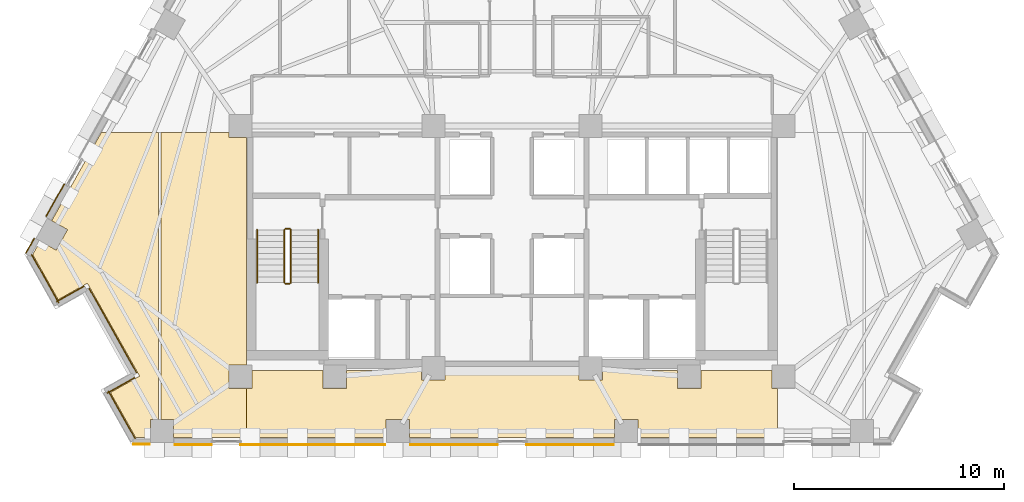
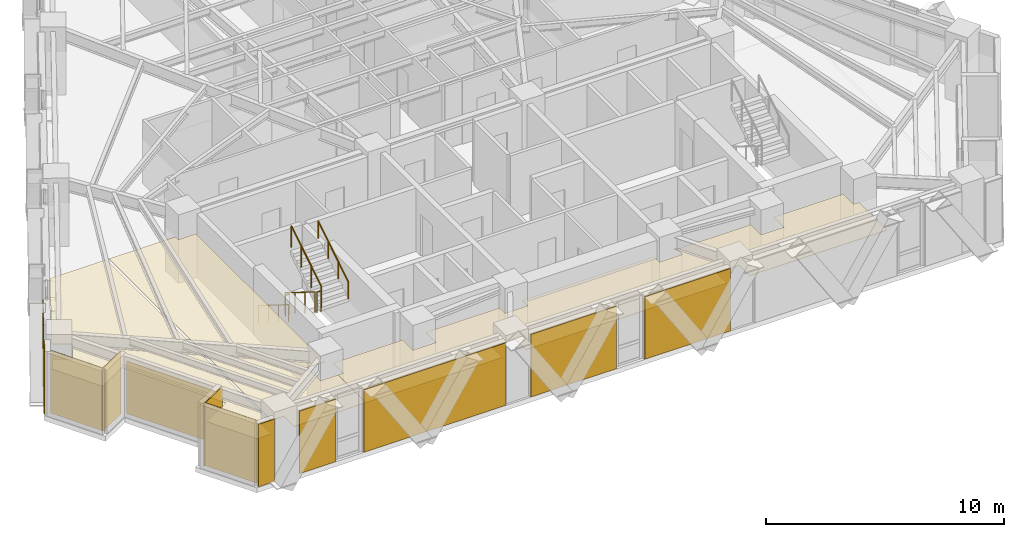
# One storey, part 10 of 13: 15 coverings, 6 railings.
"""IFC4 building model written with IfcOpenShell, lengths in metres."""

from ifc_helpers import new_model, si_unit, direction, frame, origin, origin_2d, place, context, subcontext, project, spatial, polyline, circle, outline, extrude, material, layer, layer_set, type_object, element, save


model = new_model("IFC4")

# Units and contexts
model_context = context("Model", 3, precision=1e-05, world=origin(), true_north=direction((0.0, 1.0)))
body_context = subcontext(model_context, "Body", "Model", "MODEL_VIEW")
ifc_project = project(units=[si_unit("LENGTHUNIT", "METRE"), si_unit("AREAUNIT", "SQUARE_METRE"), si_unit("VOLUMEUNIT", "CUBIC_METRE"), si_unit("PLANEANGLEUNIT", "RADIAN"), si_unit("MASSUNIT", "GRAM", prefix="KILO")], contexts=[model_context])

# Site, building, storey
site_placement = place(None, origin())
site = spatial("IfcSite", under=ifc_project, at=site_placement, CompositionType="ELEMENT")
building_placement = place(site_placement, origin())
building = spatial("IfcBuilding", under=site, at=building_placement, Name="Quenlor Broadcast Tower", CompositionType="ELEMENT")
storey_placement = place(building_placement, frame((0.0, 0.0, 109.0)))
storey = spatial("IfcBuildingStorey", under=building, at=storey_placement, Name="L29", CompositionType="ELEMENT", Elevation=109.0)

# Coverings
ifc_material_1 = material(Name="Acoustic Mineral Fibre Board", Category="other")
ifc_layer_1 = layer(ifc_material_1, 0.02490234375)
ifc_layer_set_1 = layer_set([ifc_layer_1], Name="Acoustic Perforated Mineral Tile Ceiling 25")
covering_type_1 = type_object("IfcCoveringType", Name="Acoustic Perforated Mineral Tile Ceiling 25", PredefinedType="CEILING", material=ifc_layer_set_1)
covering_1_placement = place(storey_placement, frame((0.0, 0.0, 2.22509765625)))
element("IfcCovering", 1, at=covering_1_placement, inside=storey, type_object=covering_type_1, Name="L29 Acoustic Ceiling L29-36-4", PredefinedType="CEILING", context=body_context, shape_type="SweptSolid", body=[
    extrude(outline(polyline([(-13.508056640625, -5.35791015625), (-12.64990234375, -5.35791015625), (-12.64990234375, -16.19189453125), (-13.508056640625, -16.19189453125), (-13.508056640625, -17.30810546875), (-12.64990234375, -17.30810546875), (-12.64990234375, -19.659912109375), (-16.134521484375, -19.659912109375), (-16.134521484375, -18.7919921875), (-16.739990234375, -18.7919921875), (-16.739990234375, -5.1201171875), (-13.508056640625, -5.1201171875), (-13.508056640625, -5.35791015625)])), origin(), (0.0, 0.0, 1.0), 0.02490234375),
])
covering_2_placement = place(storey_placement, frame((0.0, 0.0, 2.22509765625)))
element("IfcCovering", 2, at=covering_2_placement, inside=storey, type_object=covering_type_1, Name="L29 Acoustic Ceiling L29-36-5", PredefinedType="CEILING", context=body_context, shape_type="SweptSolid", body=[
    extrude(outline(polyline([(-16.860107421875, -18.7919921875), (-17.25048828125, -18.7919921875), (-17.25048828125, -19.659912109375), (-17.9453125, -19.659912109375), (-19.15380859375, -17.510986328125), (-17.759521484375, -16.7265625), (-20.25, -12.299072265625), (-21.64453125, -13.08349609375), (-22.85693359375, -10.927978515625), (-22.49853515625, -10.290771484375), (-21.741943359375, -10.71630859375), (-21.19482421875, -9.74365234375), (-21.951416015625, -9.318115234375), (-19.58984375, -5.1201171875), (-16.860107421875, -5.1201171875), (-16.860107421875, -18.7919921875)])), origin(), (0.0, 0.0, 1.0), 0.02490234375),
])
covering_3_placement = place(storey_placement, frame((0.0, 0.0, 2.22509765625)))
element("IfcCovering", 3, at=covering_3_placement, inside=storey, type_object=covering_type_1, Name="L29 Acoustic Ceiling L29-36-8", PredefinedType="CEILING", context=body_context, shape_type="SweptSolid", body=[
    extrude(outline(polyline([(-12.39208984375, -17.30810546875), (-12.39208984375, -16.449951171875), (-9.008056640625, -16.449951171875), (-9.008056640625, -17.30810546875), (-7.89208984375, -17.30810546875), (-7.89208984375, -16.449951171875), (-4.30810546875, -16.449951171875), (-4.30810546875, -16.907958984375), (-3.19189453125, -16.907958984375), (-3.19189453125, -16.449951171875), (3.19189453125, -16.449951171875), (3.19189453125, -16.907958984375), (4.30810546875, -16.907958984375), (4.30810546875, -16.449951171875), (7.89208984375, -16.449951171875), (7.89208984375, -17.30810546875), (9.008056640625, -17.30810546875), (9.008056640625, -16.449951171875), (12.39208984375, -16.449951171875), (12.39208984375, -17.30810546875), (12.64990234375, -17.30810546875), (12.64990234375, -19.659912109375), (6.001220703125, -19.659912109375), (6.001220703125, -18.7919921875), (4.88525390625, -18.7919921875), (4.88525390625, -19.659912109375), (-4.88525390625, -19.659912109375), (-4.88525390625, -18.7919921875), (-6.001220703125, -18.7919921875), (-6.001220703125, -19.659912109375), (-12.64990234375, -19.659912109375), (-12.64990234375, -17.30810546875), (-12.39208984375, -17.30810546875)])), origin(), (0.0, 0.0, 1.0), 0.02490234375),
])
ifc_material_2 = material(Name="Architectural Terracotta Ceramic", Category="masonry")
ifc_layer_2 = layer(ifc_material_2, 0.044921875)
ifc_layer_set_2 = layer_set([ifc_layer_2], Name="Fluted Terracotta Rainscreen Cladding Panel")
covering_type_2 = type_object("IfcCoveringType", Name="Fluted Terracotta Rainscreen Cladding Panel", PredefinedType="CLADDING", material=ifc_layer_set_2)
covering_4_placement = place(storey_placement, frame((0.0, 0.0, 0.02001953125)))
element("IfcCovering", 4, at=covering_4_placement, inside=storey, type_object=covering_type_2, Name="L29 Terracotta Rainscreen Cladding L29-SHD-SS1", PredefinedType="CLADDING", context=body_context, shape_type="SweptSolid", body=[
    extrude(outline(polyline([(-17.277587890625, -19.951904296875), (-18.053955078125, -19.951904296875), (-18.053955078125, -19.9970703125), (-17.277587890625, -19.9970703125), (-17.277587890625, -19.951904296875)])), origin(), (0.0, 0.0, 1.0), 3.2099609375),
])
covering_5_placement = place(storey_placement, frame((0.0, 0.0, 0.02001953125)))
element("IfcCovering", 5, at=covering_5_placement, inside=storey, type_object=covering_type_2, Name="L29 Terracotta Rainscreen Cladding L29-SC-SP1", PredefinedType="CLADDING", context=body_context, shape_type="SweptSolid", body=[
    extrude(outline(polyline([(-6.048095703125, -19.971923828125), (-12.94873046875, -19.971923828125), (-12.94873046875, -20.01708984375), (-6.048095703125, -20.01708984375), (-6.048095703125, -19.971923828125)])), origin(), (0.0, 0.0, 1.0), 3.2099609375),
])
covering_6_placement = place(storey_placement, frame((0.0, 0.0, 0.02001953125)))
element("IfcCovering", 6, at=covering_6_placement, inside=storey, type_object=covering_type_2, Name="L29 Terracotta Rainscreen Cladding L29-SC-SP2", PredefinedType="CLADDING", context=body_context, shape_type="SweptSolid", body=[
    extrude(outline(polyline([(-14.32177734375, -19.971923828125), (-16.08740234375, -19.971923828125), (-16.08740234375, -20.01708984375), (-14.32177734375, -20.01708984375), (-14.32177734375, -19.971923828125)])), origin(), (0.0, 0.0, 1.0), 3.2099609375),
])
covering_7_placement = place(storey_placement, frame((0.0, 0.0, 0.02001953125)))
element("IfcCovering", 7, at=covering_7_placement, inside=storey, type_object=covering_type_2, Name="L29 Terracotta Rainscreen Cladding L29-S-SP1", PredefinedType="CLADDING", context=body_context, shape_type="SweptSolid", body=[
    extrude(outline(polyline([(4.84326171875, -19.971923828125), (0.6865234375, -19.971923828125), (0.6865234375, -20.01708984375), (4.84326171875, -20.01708984375), (4.84326171875, -19.971923828125)])), origin(), (0.0, 0.0, 1.0), 3.2099609375),
])
covering_8_placement = place(storey_placement, frame((0.0, 0.0, 0.02001953125)))
element("IfcCovering", 8, at=covering_8_placement, inside=storey, type_object=covering_type_2, Name="L29 Terracotta Rainscreen Cladding L29-S-SP2", PredefinedType="CLADDING", context=body_context, shape_type="SweptSolid", body=[
    extrude(outline(polyline([(-0.6865234375, -19.971923828125), (-4.84326171875, -19.971923828125), (-4.84326171875, -20.01708984375), (-0.6865234375, -20.01708984375), (-0.6865234375, -19.971923828125)])), origin(), (0.0, 0.0, 1.0), 3.2099609375),
])
covering_9_placement = place(storey_placement, frame((0.0, 0.0, 0.02001953125)))
element("IfcCovering", 9, at=covering_9_placement, inside=storey, type_object=covering_type_2, Name="L29 Terracotta Rainscreen Cladding L29-SHD-NWS0", PredefinedType="CLADDING", context=body_context, shape_type="SweptSolid", body=[
    extrude(outline(polyline([(-23.160888671875, -10.873046875), (-22.76611328125, -10.171142578125), (-22.805419921875, -10.149169921875), (-23.2001953125, -10.85107421875), (-23.160888671875, -10.873046875)])), origin(), (0.0, 0.0, 1.0), 3.2099609375),
])
covering_10_placement = place(storey_placement, frame((0.0, 0.0, 0.02001953125)))
element("IfcCovering", 10, at=covering_10_placement, inside=storey, type_object=covering_type_2, Name="L29 Terracotta Rainscreen Cladding L29-NWA-SP1", PredefinedType="CLADDING", context=body_context, shape_type="SweptSolid", body=[
    extrude(outline(polyline([(-22.2001953125, -9.1240234375), (-21.325927734375, -7.56982421875), (-21.364990234375, -7.5478515625), (-22.239501953125, -9.10205078125), (-22.2001953125, -9.1240234375)])), origin(), (0.0, 0.0, 1.0), 3.2099609375),
])
covering_11_placement = place(storey_placement, frame((0.0, 0.0, 0.02001953125)))
element("IfcCovering", 11, at=covering_11_placement, inside=storey, type_object=covering_type_2, Name="L29 Terracotta Rainscreen Cladding L29-CNR-12", PredefinedType="CLADDING", context=body_context, shape_type="SweptSolid", body=[
    extrude(outline(polyline([(-22.931396484375, -10.93408203125), (-21.630126953125, -13.24755859375), (-21.591064453125, -13.2255859375), (-22.892333984375, -10.912109375), (-22.931396484375, -10.93408203125)])), origin(), (0.0, 0.0, 1.0), 3.2099609375),
])
covering_12_placement = place(storey_placement, frame((0.0, 0.0, 0.02001953125)))
element("IfcCovering", 12, at=covering_12_placement, inside=storey, type_object=covering_type_2, Name="L29 Terracotta Rainscreen Cladding L29-CNR-13", PredefinedType="CLADDING", context=body_context, shape_type="SweptSolid", body=[
    extrude(outline(polyline([(-21.70703125, -13.19677734375), (-20.399658203125, -12.461181640625), (-20.421630859375, -12.422119140625), (-21.72900390625, -13.157470703125), (-21.70703125, -13.19677734375)])), origin(), (0.0, 0.0, 1.0), 3.2099609375),
])
covering_13_placement = place(storey_placement, frame((0.0, 0.0, 0.02001953125)))
element("IfcCovering", 13, at=covering_13_placement, inside=storey, type_object=covering_type_2, Name="L29 Terracotta Rainscreen Cladding L29-CNR-14", PredefinedType="CLADDING", context=body_context, shape_type="SweptSolid", body=[
    extrude(outline(polyline([(-20.186767578125, -12.55029296875), (-17.921630859375, -16.576904296875), (-17.88232421875, -16.554931640625), (-20.1474609375, -12.5283203125), (-20.186767578125, -12.55029296875)])), origin(), (0.0, 0.0, 1.0), 2.681884765625),
])
covering_14_placement = place(storey_placement, frame((0.0, 0.0, 0.02001953125)))
element("IfcCovering", 14, at=covering_14_placement, inside=storey, type_object=covering_type_2, Name="L29 Terracotta Rainscreen Cladding L29-CNR-15", PredefinedType="CLADDING", context=body_context, shape_type="SweptSolid", body=[
    extrude(outline(polyline([(-18.010498046875, -16.789794921875), (-19.31787109375, -17.525390625), (-19.2958984375, -17.564697265625), (-17.988525390625, -16.8291015625), (-18.010498046875, -16.789794921875)])), origin(), (0.0, 0.0, 1.0), 3.2099609375),
])
covering_15_placement = place(storey_placement, frame((0.0, 0.0, 0.02001953125)))
element("IfcCovering", 15, at=covering_15_placement, inside=storey, type_object=covering_type_2, Name="L29 Terracotta Rainscreen Cladding L29-CNR-16", PredefinedType="CLADDING", context=body_context, shape_type="SweptSolid", body=[
    extrude(outline(polyline([(-19.26708984375, -17.448486328125), (-17.987060546875, -19.72412109375), (-17.947998046875, -19.7021484375), (-19.227783203125, -17.426513671875), (-19.26708984375, -17.448486328125)])), origin(), (0.0, 0.0, 1.0), 3.2099609375),
])

# Railings
ifc_material_3 = material(Name="Anodised Aluminium", Category="aluminium")
railing_type_1 = type_object("IfcRailingType", Name="Stainless Aluminium Wall Handrail 900", PredefinedType="HANDRAIL", material=ifc_material_3)
railing_1_placement = place(storey_placement, frame((-12.14990234375, -9.75, 0.175048828125)))
element("IfcRailing", 16, at=railing_1_placement, inside=storey, type_object=railing_type_1, Name="L29 ST-1 stair handrail 1", PredefinedType="HANDRAIL", context=body_context, shape_type="SweptSolid", body=[
    extrude(circle(Radius=0.02392578125, at=origin_2d()), frame((0.0, 0.0, 0.8759765625), z_axis=(0.0, -0.848007534815, 0.529984170421), x_axis=(1.0, 0.0, 0.0)), (0.0, 0.0, 1.0), 2.9716796875),
    extrude(circle(Radius=0.02099609375, at=origin_2d()), origin(), (0.0, 0.0, 1.0), 0.851806640625),
    extrude(circle(Radius=0.02099609375, at=origin_2d()), frame((0.0, -0.840087890625, 0.52490234375)), (0.0, 0.0, 1.0), 0.851806640625),
    extrude(circle(Radius=0.02099609375, at=origin_2d()), frame((0.0, -1.679931640625, 1.050048828125)), (0.0, 0.0, 1.0), 0.851806640625),
    extrude(circle(Radius=0.02099609375, at=origin_2d()), frame((0.0, -2.52001953125, 1.574951171875)), (0.0, 0.0, 1.0), 0.851806640625),
])
railing_2_placement = place(storey_placement, frame((-9.25, -12.27001953125, 1.925048828125)))
element("IfcRailing", 17, at=railing_2_placement, inside=storey, type_object=railing_type_1, Name="L29 ST-1 stair handrail 2", PredefinedType="HANDRAIL", context=body_context, shape_type="SweptSolid", body=[
    extrude(circle(Radius=0.02392578125, at=origin_2d()), frame((0.0, 0.0, 0.8759765625), z_axis=(0.0, 0.848007534815, 0.529984170421), x_axis=(-1.0, 0.0, 0.0)), (0.0, 0.0, 1.0), 2.9716796875),
    extrude(circle(Radius=0.02099609375, at=origin_2d()), origin(), (0.0, 0.0, 1.0), 0.851806640625),
    extrude(circle(Radius=0.02099609375, at=origin_2d()), frame((0.0, 0.840087890625, 0.52490234375)), (0.0, 0.0, 1.0), 0.851806640625),
    extrude(circle(Radius=0.02099609375, at=origin_2d()), frame((0.0, 1.679931640625, 1.050048828125)), (0.0, 0.0, 1.0), 0.851806640625),
    extrude(circle(Radius=0.02099609375, at=origin_2d()), frame((0.0, 2.52001953125, 1.574951171875)), (0.0, 0.0, 1.0), 0.851806640625),
])
ifc_material_4 = material(Name="Steel S355", Category="steel")
railing_type_2 = type_object("IfcRailingType", Name="Tubular Steel S355 Stair Guardrail 1100", PredefinedType="BALUSTRADE", material=ifc_material_4)
railing_3_placement = place(storey_placement, frame((-10.85009765625, -9.75, 0.175048828125)))
element("IfcRailing", 18, at=railing_3_placement, inside=storey, type_object=railing_type_2, Name="L29 ST-1 stair guard 1", PredefinedType="BALUSTRADE", context=body_context, shape_type="SweptSolid", body=[
    extrude(circle(Radius=0.02392578125, at=origin_2d()), frame((0.0, 0.0, 1.076171875), z_axis=(0.0, -0.848007534815, 0.529984170421), x_axis=(1.0, 0.0, 0.0)), (0.0, 0.0, 1.0), 2.9716796875),
    extrude(circle(Radius=0.02099609375, at=origin_2d()), origin(), (0.0, 0.0, 1.0), 1.052001953125),
    extrude(circle(Radius=0.02099609375, at=origin_2d()), frame((0.0, -0.840087890625, 0.52490234375)), (0.0, 0.0, 1.0), 1.052001953125),
    extrude(circle(Radius=0.02099609375, at=origin_2d()), frame((0.0, -1.679931640625, 1.050048828125)), (0.0, 0.0, 1.0), 1.052001953125),
    extrude(circle(Radius=0.02099609375, at=origin_2d()), frame((0.0, -2.52001953125, 1.574951171875)), (0.0, 0.0, 1.0), 1.052001953125),
])
railing_4_placement = place(storey_placement, frame((-10.800048828125, -12.320068359375, 1.75)))
element("IfcRailing", 19, at=railing_4_placement, inside=storey, type_object=railing_type_2, Name="L29 ST-1 stair guard 2", PredefinedType="BALUSTRADE", context=body_context, shape_type="SweptSolid", body=[
    extrude(circle(Radius=0.02392578125, at=origin_2d()), frame((0.0, 0.0, 1.076171875), z_axis=(1.0, 0.0, 0.0), x_axis=(0.0, 1.0, 0.0)), (0.0, 0.0, 1.0), 0.199951171875),
    extrude(circle(Radius=0.02099609375, at=origin_2d()), origin(), (0.0, 0.0, 1.0), 1.052001953125),
    extrude(circle(Radius=0.02099609375, at=origin_2d()), frame((0.199951171875, 0.0, 0.0)), (0.0, 0.0, 1.0), 1.052001953125),
])
railing_5_placement = place(storey_placement, frame((-10.550048828125, -12.27001953125, 1.925048828125)))
element("IfcRailing", 20, at=railing_5_placement, inside=storey, type_object=railing_type_2, Name="L29 ST-1 stair guard 3", PredefinedType="BALUSTRADE", context=body_context, shape_type="SweptSolid", body=[
    extrude(circle(Radius=0.02392578125, at=origin_2d()), frame((0.0, 0.0, 1.076171875), z_axis=(0.0, 0.848007534815, 0.529984170421), x_axis=(-1.0, 0.0, 0.0)), (0.0, 0.0, 1.0), 2.9716796875),
    extrude(circle(Radius=0.02099609375, at=origin_2d()), origin(), (0.0, 0.0, 1.0), 1.052001953125),
    extrude(circle(Radius=0.02099609375, at=origin_2d()), frame((0.0, 0.840087890625, 0.52490234375)), (0.0, 0.0, 1.0), 1.052001953125),
    extrude(circle(Radius=0.02099609375, at=origin_2d()), frame((0.0, 1.679931640625, 1.050048828125)), (0.0, 0.0, 1.0), 1.052001953125),
    extrude(circle(Radius=0.02099609375, at=origin_2d()), frame((0.0, 2.52001953125, 1.574951171875)), (0.0, 0.0, 1.0), 1.052001953125),
])
railing_6_placement = place(storey_placement, frame((-10.800048828125, -9.699951171875, 0.0)))
element("IfcRailing", 21, at=railing_6_placement, inside=storey, type_object=railing_type_2, Name="L29 ST-1 stair guard 4", PredefinedType="BALUSTRADE", context=body_context, shape_type="SweptSolid", body=[
    extrude(circle(Radius=0.02392578125, at=origin_2d()), frame((0.0, 0.0, 1.076171875), z_axis=(1.0, 0.0, 0.0), x_axis=(0.0, 1.0, 0.0)), (0.0, 0.0, 1.0), 0.199951171875),
    extrude(circle(Radius=0.02099609375, at=origin_2d()), origin(), (0.0, 0.0, 1.0), 1.052001953125),
    extrude(circle(Radius=0.02099609375, at=origin_2d()), frame((0.199951171875, 0.0, 0.0)), (0.0, 0.0, 1.0), 1.052001953125),
])

save(model, "model.ifc")
